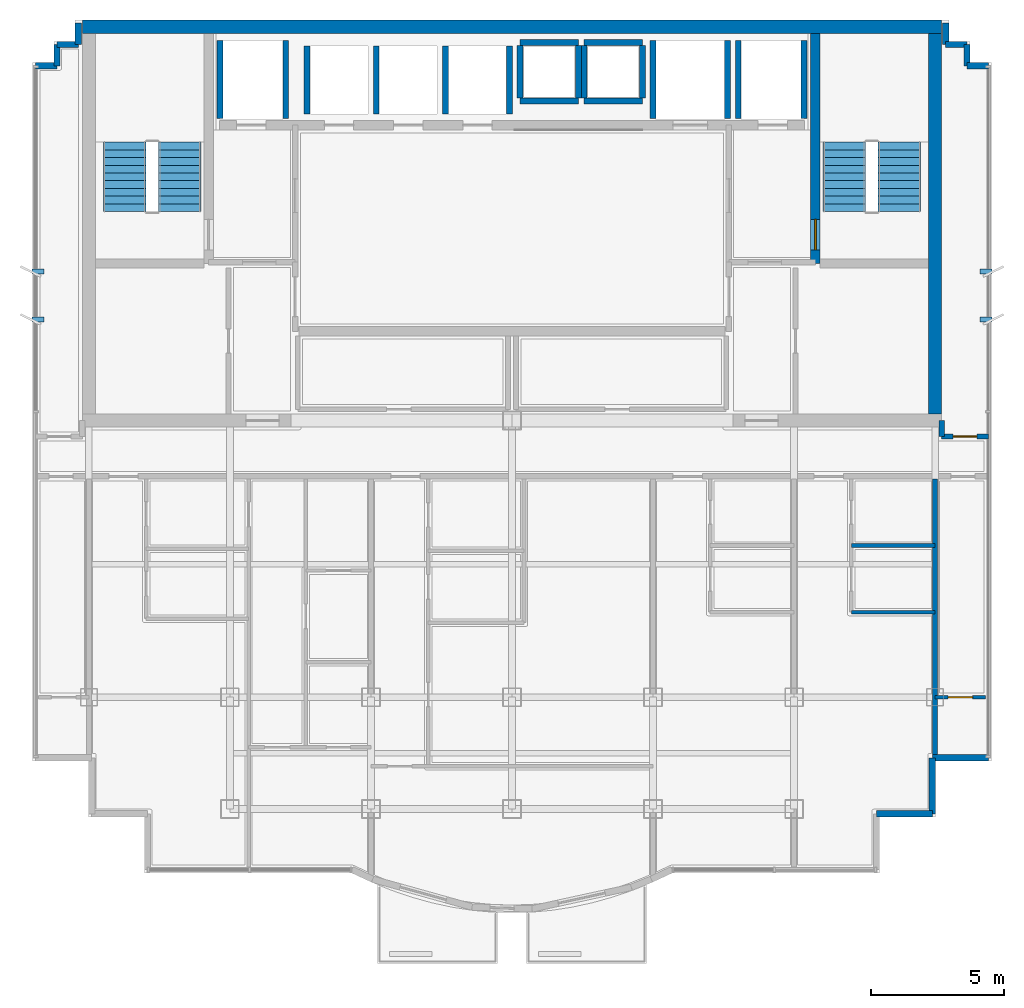
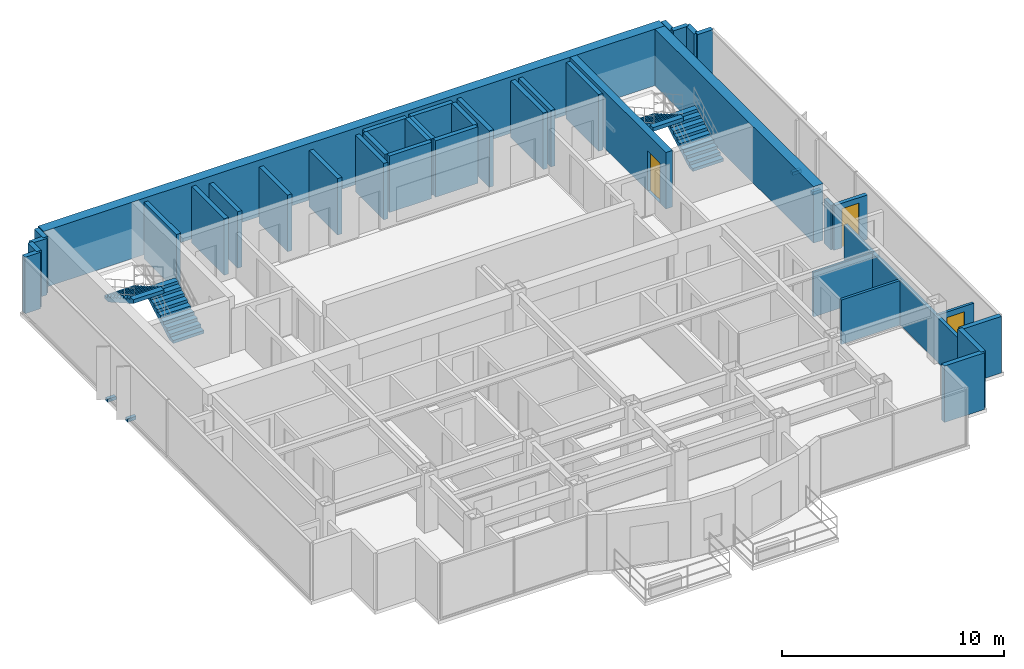
# One storey, part 8 of 10: 38 walls, 4 discrete accessories, 4 stair flights, 3 doors, 3 openings, 2 elements without a shape of their own.
"""IFC4 building model written with IfcOpenShell, lengths in metres."""

from ifc_helpers import new_model, si_unit, direction, frame, frame_2d, origin, origin_2d, place, context, subcontext, project, spatial, polyline, rectangle, outline, extrude, source, transform, mapped, material, layer, layer_set, type_object, element, fill, aggregate, save


model = new_model("IFC4")

# Units and contexts
model_context = context("Model", 3, precision=1e-05, world=origin(), true_north=direction((0.0, 1.0)))
body_context = subcontext(model_context, "Body", "Model", "MODEL_VIEW")
ifc_project = project(units=[si_unit("LENGTHUNIT", "METRE"), si_unit("AREAUNIT", "SQUARE_METRE"), si_unit("VOLUMEUNIT", "CUBIC_METRE"), si_unit("PLANEANGLEUNIT", "RADIAN"), si_unit("MASSUNIT", "GRAM", prefix="KILO")], contexts=[model_context])

# Site, building, storey
site_placement = place(None, origin())
site = spatial("IfcSite", under=ifc_project, at=site_placement, CompositionType="ELEMENT")
building_placement = place(site_placement, origin())
building = spatial("IfcBuilding", under=site, at=building_placement, Name="Qianlan Lanfeng Residences", CompositionType="ELEMENT")
storey_placement = place(building_placement, frame((0.0, 0.0, 239.60009765625)))
storey = spatial("IfcBuildingStorey", under=building, at=storey_placement, Name="L66", CompositionType="ELEMENT", Elevation=239.60009765625)

# Wall, opening, door
ifc_material_1 = material(Name="Concrete C49", Category="concrete")
ifc_layer_1 = layer(ifc_material_1, 0.35009765625)
ifc_layer_set_1 = layer_set([ifc_layer_1], Name="Concrete C49")
wall_type_1 = type_object("IfcWallType", Name="CW-RC-350", PredefinedType="SHEAR", material=ifc_layer_set_1)
wall_1_placement = place(storey_placement, frame((37.89990234375, 31.10009765625, 0.0), z_axis=(0.0, 0.0, 1.0), x_axis=(0.0, 1.0, 0.0)))
wall_1 = element("IfcWall", 1, at=wall_1_placement, inside=storey, type_object=wall_type_1, Name="L66 Core Shear Wall ST2W", PredefinedType="SHEAR", context=body_context, shape_type="SweptSolid", body=[
    extrude(rectangle(XDim=8.64990234375, YDim=0.35009765625, at=frame_2d((4.324951171875, 0.0))), origin(), (0.0, 0.0, 1.0), 3.10986328125),
])
opening_1_placement = place(wall_1_placement, frame((0.510009765625, 0.0, 0.0)))
opening_1 = element("IfcOpeningElement", 2, at=opening_1_placement, cuts=wall_1, Name="Opening L66-D08", PredefinedType="OPENING", context=body_context, shape_type="SweptSolid", body=[
    extrude(rectangle(XDim=1.14990234375, YDim=2.199951171875, at=frame_2d((0.574951171875, 1.10009765625))), frame((0.0, 0.18505859375, 0.0), z_axis=(0.0, -1.0, 0.0), x_axis=(1.0, 0.0, 0.0)), (0.0, 0.0, 1.0), 0.3701171875),
])
ifc_material_2 = material(Name="Painted Galvanised Steel Fire Door", Category="steel")
door_type_1 = type_object("IfcDoorType", Name="DT-ST1", OperationType="NOTDEFINED", PredefinedType="DOOR", material=ifc_material_2)
door_1_placement = place(opening_1_placement, origin())
door_1 = element("IfcDoor", 3, at=door_1_placement, inside=storey, type_object=door_type_1, Name="L66 Exit Stair ST-2 Door L66-D08 (DT-ST1)", OperationType="SINGLE_SWING_RIGHT", OverallHeight=2.199951171875, OverallWidth=1.14990234375, PredefinedType="DOOR", context=body_context, shape_type="SweptSolid", body=[
    extrude(rectangle(XDim=1.14990234375, YDim=2.199951171875, at=frame_2d((0.574951171875, 1.10009765625))), frame((0.0, 0.02490234375, 0.0), z_axis=(0.0, -1.0, 0.0), x_axis=(1.0, 0.0, 0.0)), (0.0, 0.0, 1.0), 0.050048828125),
])
fill(opening_1, door_1)

# Walls
ifc_material_3 = material(Name="Concrete C70", Category="concrete")
ifc_layer_2 = layer(ifc_material_3, 0.5)
ifc_layer_set_2 = layer_set([ifc_layer_2], Name="Concrete C70")
wall_type_2 = type_object("IfcWallType", Name="CW-RC-500", PredefinedType="SHEAR", material=ifc_layer_set_2)
wall_2_placement = place(storey_placement, frame((10.35009765625, 40.0, 0.0), z_axis=(0.0, 0.0, 1.0), x_axis=(1.0, 0.0, 0.0)))
element("IfcWall", 4, at=wall_2_placement, inside=storey, type_object=wall_type_2, Name="L66 Core Shear Wall N", PredefinedType="SHEAR", context=body_context, shape_type="SweptSolid", body=[
    extrude(rectangle(XDim=32.2998046875, YDim=0.5, at=frame_2d((16.14990234375, 0.0))), origin(), (0.0, 0.0, 1.0), 3.10986328125),
])
wall_3_placement = place(storey_placement, frame((42.39990234375, 25.449951171875, 0.0), z_axis=(0.0, 0.0, 1.0), x_axis=(0.0, 1.0, 0.0)))
element("IfcWall", 5, at=wall_3_placement, inside=storey, type_object=wall_type_2, Name="L66 Core Shear Wall E", PredefinedType="SHEAR", context=body_context, shape_type="SweptSolid", body=[
    extrude(rectangle(XDim=14.300048828125, YDim=0.5, at=frame_2d((7.14990234375, 0.0))), origin(), (0.0, 0.0, 1.0), 3.10986328125),
])
ifc_material_4 = material(Name="Concrete C42", Category="concrete")
ifc_layer_3 = layer(ifc_material_4, 0.239990234375)
ifc_layer_set_3 = layer_set([ifc_layer_3], Name="Concrete C42")
wall_type_3 = type_object("IfcWallType", Name="EW-240", PredefinedType="SOLIDWALL", material=ifc_layer_set_3)
for number, where, z_axis, x_axis, name in (
    (6, (40.199951171875, 10.419921875, 0.0), (0.0, 0.0, 1.0), (1.0, 0.0, 0.0), "L66 Exterior Facade Spandrel Wall 12"),
    (7, (42.300048828125, 10.419921875, 0.0), (0.0, 0.0, 1.0), (0.0, 1.0, 0.0), "L66 Exterior Facade Spandrel Wall 13"),
):
    element("IfcWall", number, at=place(storey_placement, frame(where, z_axis=z_axis, x_axis=x_axis)), inside=storey, type_object=wall_type_3, Name=name, PredefinedType="SOLIDWALL", context=body_context, shape_type="SweptSolid", body=[
        extrude(rectangle(XDim=2.10009765625, YDim=0.239990234375, at=frame_2d((1.050048828125, 0.0))), origin(), (0.0, 0.0, 1.0), 3.10986328125),
    ])
wall_4_placement = place(storey_placement, frame((42.300048828125, 12.52001953125, 0.0), z_axis=(0.0, 0.0, 1.0), x_axis=(1.0, 0.0, 0.0)))
element("IfcWall", 8, at=wall_4_placement, inside=storey, type_object=wall_type_3, Name="L66 Exterior Facade Spandrel Wall 14", PredefinedType="SOLIDWALL", context=body_context, shape_type="SweptSolid", body=[
    extrude(rectangle(XDim=2.099853515625, YDim=0.239990234375, at=frame_2d((1.0498046875, 0.0))), origin(), (0.0, 0.0, 1.0), 3.10986328125),
])
wall_5_placement = place(storey_placement, frame((44.39990234375, 38.530029296875, 0.0), z_axis=(0.0, 0.0, 1.0), x_axis=(-1.0, 0.0, 0.0)))
element("IfcWall", 9, at=wall_5_placement, inside=storey, type_object=wall_type_3, Name="L66 Exterior Facade Spandrel Wall 15", PredefinedType="SOLIDWALL", context=body_context, shape_type="SweptSolid", body=[
    extrude(rectangle(XDim=0.7998046875, YDim=0.239990234375, at=frame_2d((0.39990234375, 0.0))), origin(), (0.0, 0.0, 1.0), 3.10986328125),
])
for number, where, z_axis, x_axis, name in (
    (10, (43.60009765625, 38.530029296875, 0.0), (0.0, 0.0, 1.0), (0.0, 1.0, 0.0), "L66 Exterior Facade Spandrel Wall 16"),
    (11, (43.60009765625, 39.330078125, 0.0), (0.0, 0.0, 1.0), (-1.0, 0.0, 0.0), "L66 Exterior Facade Spandrel Wall 17"),
):
    element("IfcWall", number, at=place(storey_placement, frame(where, z_axis=z_axis, x_axis=x_axis)), inside=storey, type_object=wall_type_3, Name=name, PredefinedType="SOLIDWALL", context=body_context, shape_type="SweptSolid", body=[
        extrude(rectangle(XDim=0.800048828125, YDim=0.239990234375, at=frame_2d((0.39990234375, 0.0))), origin(), (0.0, 0.0, 1.0), 3.10986328125),
    ])
for number, where, z_axis, x_axis, name in (
    (12, (42.800048828125, 39.330078125, 0.0), (0.0, 0.0, 1.0), (0.0, 1.0, 0.0), "L66 Exterior Facade Spandrel Wall 18"),
    (13, (10.199951171875, 40.1298828125, 0.0), (0.0, 0.0, 1.0), (0.0, -1.0, 0.0), "L66 Exterior Facade Spandrel Wall 19"),
):
    element("IfcWall", number, at=place(storey_placement, frame(where, z_axis=z_axis, x_axis=x_axis)), inside=storey, type_object=wall_type_3, Name=name, PredefinedType="SOLIDWALL", context=body_context, shape_type="SweptSolid", body=[
        extrude(rectangle(XDim=0.7998046875, YDim=0.239990234375, at=frame_2d((0.39990234375, 0.0))), origin(), (0.0, 0.0, 1.0), 3.10986328125),
    ])
for number, where, z_axis, x_axis, name in (
    (14, (10.199951171875, 39.330078125, 0.0), (0.0, 0.0, 1.0), (-1.0, 0.0, 0.0), "L66 Exterior Facade Spandrel Wall 20"),
    (15, (9.39990234375, 39.330078125, 0.0), (0.0, 0.0, 1.0), (0.0, -1.0, 0.0), "L66 Exterior Facade Spandrel Wall 21"),
):
    element("IfcWall", number, at=place(storey_placement, frame(where, z_axis=z_axis, x_axis=x_axis)), inside=storey, type_object=wall_type_3, Name=name, PredefinedType="SOLIDWALL", context=body_context, shape_type="SweptSolid", body=[
        extrude(rectangle(XDim=0.800048828125, YDim=0.239990234375, at=frame_2d((0.39990234375, 0.0))), origin(), (0.0, 0.0, 1.0), 3.10986328125),
    ])
wall_6_placement = place(storey_placement, frame((9.39990234375, 38.530029296875, 0.0), z_axis=(0.0, 0.0, 1.0), x_axis=(-1.0, 0.0, 0.0)))
element("IfcWall", 16, at=wall_6_placement, inside=storey, type_object=wall_type_3, Name="L66 Exterior Facade Spandrel Wall 22", PredefinedType="SOLIDWALL", context=body_context, shape_type="SweptSolid", body=[
    extrude(rectangle(XDim=0.7998046875, YDim=0.239990234375, at=frame_2d((0.39990234375, 0.0))), origin(), (0.0, 0.0, 1.0), 3.10986328125),
])
ifc_material_5 = material(Name="Moisture-Resistant Gypsum Partition 135 mm")
ifc_layer_4 = layer(ifc_material_5, 0.135009765625)
ifc_layer_set_4 = layer_set([ifc_layer_4], Name="Moisture-Resistant Gypsum Partition 135 mm")
wall_type_4 = type_object("IfcWallType", Name="PW-135", PredefinedType="PARTITIONING", material=ifc_layer_set_4)
for number, where, z_axis, x_axis, name in (
    (17, (39.25, 18.0, 0.0), (0.0, 0.0, 1.0), (1.0, 0.0, 0.0), "L66 U04 Kitchen South Wall"),
    (18, (39.25, 20.5, 0.0), (0.0, 0.0, 1.0), (1.0, 0.0, 0.0), "L66 U04 Bathroom South Wall"),
):
    element("IfcWall", number, at=place(storey_placement, frame(where, z_axis=z_axis, x_axis=x_axis)), inside=storey, type_object=wall_type_4, Name=name, PredefinedType="PARTITIONING", context=body_context, shape_type="SweptSolid", body=[
        extrude(rectangle(XDim=3.14990234375, YDim=0.135009765625, at=frame_2d((1.574951171875, 0.0))), origin(), (0.0, 0.0, 1.0), 2.449951171875),
    ])

# Wall, opening, door
wall_7_placement = place(storey_placement, frame((42.39990234375, 14.800048828125, 0.0), z_axis=(0.0, 0.0, 1.0), x_axis=(1.0, 0.0, 0.0)))
wall_7 = element("IfcWall", 19, at=wall_7_placement, inside=storey, type_object=wall_type_4, Name="L66 SEP Mid Partition", PredefinedType="PARTITIONING", context=body_context, shape_type="SweptSolid", body=[
    extrude(rectangle(XDim=1.900146484375, YDim=0.135009765625, at=frame_2d((0.9501953125, 0.0))), origin(), (0.0, 0.0, 1.0), 2.449951171875),
])
opening_2_placement = place(wall_7_placement, frame((0.489990234375, 0.0, 0.0)))
opening_2 = element("IfcOpeningElement", 20, at=opening_2_placement, cuts=wall_7, Name="Opening L66-D36", PredefinedType="OPENING", context=body_context, shape_type="SweptSolid", body=[
    extrude(rectangle(XDim=0.919921875, YDim=2.14990234375, at=frame_2d((0.4599609375, 1.074951171875))), frame((0.0, 0.07763671875, 0.0), z_axis=(0.0, -1.0, 0.0), x_axis=(1.0, 0.0, 0.0)), (0.0, 0.0, 1.0), 0.155029296875),
])
ifc_material_6 = material(Name="Glazed Timber Kitchen/Study Door", Category="wood")
door_type_2 = type_object("IfcDoorType", Name="DT-INT", OperationType="NOTDEFINED", PredefinedType="DOOR", material=ifc_material_6)
door_2_placement = place(opening_2_placement, origin())
door_2 = element("IfcDoor", 21, at=door_2_placement, inside=storey, type_object=door_type_2, Name="L66 SEP Inner Door L66-D36 (DT-INT)", OperationType="SINGLE_SWING_RIGHT", OverallHeight=2.14990234375, OverallWidth=0.919921875, PredefinedType="DOOR", context=body_context, shape_type="SweptSolid", body=[
    extrude(rectangle(XDim=0.919921875, YDim=2.14990234375, at=frame_2d((0.4599609375, 1.074951171875))), frame((0.0, 0.02490234375, 0.0), z_axis=(0.0, -1.0, 0.0), x_axis=(1.0, 0.0, 0.0)), (0.0, 0.0, 1.0), 0.050048828125),
])
fill(opening_2, door_2)

# Wall
ifc_material_7 = material(Name="Double-Layer Acoustic Gypsum Stud Wall 180 mm")
ifc_layer_5 = layer(ifc_material_7, 0.179931640625)
ifc_layer_set_5 = layer_set([ifc_layer_5], Name="Double-Layer Acoustic Gypsum Stud Wall 180 mm")
wall_type_5 = type_object("IfcWallType", Name="PW-180", PredefinedType="PARTITIONING", material=ifc_layer_set_5)
wall_8_placement = place(storey_placement, frame((42.39990234375, 12.6201171875, 0.0), z_axis=(0.0, 0.0, 1.0), x_axis=(0.0, 1.0, 0.0)))
element("IfcWall", 22, at=wall_8_placement, inside=storey, type_object=wall_type_5, Name="L66 Wing Boundary Party Wall E0", PredefinedType="PARTITIONING", context=body_context, shape_type="SweptSolid", body=[
    extrude(rectangle(XDim=10.3798828125, YDim=0.179931640625, at=frame_2d((5.18994140625, 0.0))), origin(), (0.0, 0.0, 1.0), 2.449951171875),
])

# Wall, opening, door
ifc_material_8 = material(Name="Autoclaved Aerated Concrete Blockwork 200 mm", Category="masonry")
ifc_layer_6 = layer(ifc_material_8, 0.199951171875)
ifc_layer_set_6 = layer_set([ifc_layer_6], Name="Autoclaved Aerated Concrete Blockwork 200 mm")
wall_type_6 = type_object("IfcWallType", Name="PW-200", PredefinedType="PARTITIONING", material=ifc_layer_set_6)
wall_9_placement = place(storey_placement, frame((42.64990234375, 24.60009765625, 0.0), z_axis=(0.0, 0.0, 1.0), x_axis=(1.0, 0.0, 0.0)))
wall_9 = element("IfcWall", 23, at=wall_9_placement, inside=storey, type_object=wall_type_6, Name="L66 Corridor NE Wall", PredefinedType="PARTITIONING", context=body_context, shape_type="SweptSolid", body=[
    extrude(rectangle(XDim=1.75, YDim=0.199951171875, at=frame_2d((0.875, 0.0))), origin(), (0.0, 0.0, 1.0), 2.449951171875),
])
opening_3_placement = place(wall_9_placement, frame((0.425048828125, 0.0, 0.0)))
opening_3 = element("IfcOpeningElement", 24, at=opening_3_placement, cuts=wall_9, Name="Opening L66-D39", PredefinedType="OPENING", context=body_context, shape_type="SweptSolid", body=[
    extrude(rectangle(XDim=0.89990234375, YDim=2.14990234375, at=frame_2d((0.449951171875, 1.074951171875))), frame((0.0, 0.10986328125, 0.0), z_axis=(0.0, -1.0, 0.0), x_axis=(1.0, 0.0, 0.0)), (0.0, 0.0, 1.0), 0.219970703125),
])
ifc_material_9 = material(Name="Moisture-Resistant Timber Leaf", Category="wood")
door_type_3 = type_object("IfcDoorType", Name="DT-WC", OperationType="NOTDEFINED", PredefinedType="DOOR", material=ifc_material_9)
door_3_placement = place(opening_3_placement, origin())
door_3 = element("IfcDoor", 25, at=door_3_placement, inside=storey, type_object=door_type_3, Name="L66 EW Amenity Salon Door L66-D39 (DT-WC)", OperationType="SINGLE_SWING_RIGHT", OverallHeight=2.14990234375, OverallWidth=0.89990234375, PredefinedType="DOOR", context=body_context, shape_type="SweptSolid", body=[
    extrude(rectangle(XDim=0.89990234375, YDim=2.14990234375, at=frame_2d((0.449951171875, 1.074951171875))), frame((0.0, 0.02490234375, 0.0), z_axis=(0.0, -1.0, 0.0), x_axis=(1.0, 0.0, 0.0)), (0.0, 0.0, 1.0), 0.050048828125),
])
fill(opening_3, door_3)

# Walls
wall_10_placement = place(storey_placement, frame((42.64990234375, 24.60009765625, 0.0), z_axis=(0.0, 0.0, 1.0), x_axis=(0.0, 1.0, 0.0)))
element("IfcWall", 26, at=wall_10_placement, inside=storey, type_object=wall_type_6, Name="L66 NE Wing Core Return Wall", PredefinedType="PARTITIONING", context=body_context, shape_type="SweptSolid", body=[
    extrude(rectangle(XDim=0.599853515625, YDim=0.199951171875, at=frame_2d((0.2998046875, 0.0))), origin(), (0.0, 0.0, 1.0), 2.449951171875),
])
ifc_layer_7 = layer(ifc_material_1, 0.219970703125)
ifc_layer_set_7 = layer_set([ifc_layer_7], Name="Concrete C49")
wall_type_7 = type_object("IfcWallType", Name="SHW-220", PredefinedType="SOLIDWALL", material=ifc_layer_set_7)
for number, where, z_axis, x_axis, name in (
    (27, (15.52001953125, 36.550048828125, 0.0), (0.0, 0.0, 1.0), (0.0, 1.0, 0.0), "L66 Lift FFL-1 Shaft Wall W"),
    (28, (18.0, 36.550048828125, 0.0), (0.0, 0.0, 1.0), (0.0, 1.0, 0.0), "L66 Lift FFL-1 Shaft Wall E"),
    (29, (35.0, 36.550048828125, 0.0), (0.0, 0.0, 1.0), (0.0, 1.0, 0.0), "L66 Lift FFL-2 Shaft Wall W"),
    (30, (37.47998046875, 36.550048828125, 0.0), (0.0, 0.0, 1.0), (0.0, 1.0, 0.0), "L66 Lift FFL-2 Shaft Wall E"),
    (31, (31.800048828125, 36.550048828125, 0.0), (0.0, 0.0, 1.0), (0.0, 1.0, 0.0), "L66 Lift SVL-1 Shaft Wall W"),
    (32, (34.60009765625, 36.550048828125, 0.0), (0.0, 0.0, 1.0), (0.0, 1.0, 0.0), "L66 Lift SVL-1 Shaft Wall E"),
):
    element("IfcWall", number, at=place(storey_placement, frame(where, z_axis=z_axis, x_axis=x_axis)), inside=storey, type_object=wall_type_7, Name=name, PredefinedType="SOLIDWALL", context=body_context, shape_type="SweptSolid", body=[
        extrude(rectangle(XDim=2.929931640625, YDim=0.219970703125, at=frame_2d((1.46484375, 0.0))), origin(), (0.0, 0.0, 1.0), 3.10986328125),
    ])
for number, where, z_axis, x_axis, name in (
    (33, (18.800048828125, 36.719970703125, 0.0), (0.0, 0.0, 1.0), (0.0, 1.0, 0.0), "L66 Lift PL-H1 Shaft Wall W"),
    (34, (21.39990234375, 36.719970703125, 0.0), (0.0, 0.0, 1.0), (0.0, 1.0, 0.0), "L66 Lift PL-H2 Shaft Wall W"),
    (35, (24.0, 36.719970703125, 0.0), (0.0, 0.0, 1.0), (0.0, 1.0, 0.0), "L66 Lift PL-H3 Shaft Wall W"),
    (36, (26.39990234375, 36.719970703125, 0.0), (0.0, 0.0, 1.0), (0.0, 1.0, 0.0), "L66 Lift PL-H3 Shaft Wall E"),
):
    element("IfcWall", number, at=place(storey_placement, frame(where, z_axis=z_axis, x_axis=x_axis)), inside=storey, type_object=wall_type_7, Name=name, PredefinedType="SOLIDWALL", context=body_context, shape_type="SweptSolid", body=[
        extrude(rectangle(XDim=2.56005859375, YDim=0.219970703125, at=frame_2d((1.280029296875, 0.0))), origin(), (0.0, 0.0, 1.0), 3.10986328125),
    ])
for number, where, z_axis, x_axis, name in (
    (37, (26.800048828125, 37.31005859375, 0.0), (0.0, 0.0, 1.0), (0.0, 1.0, 0.0), "L66 MEP Riser MEP-R1 Shaft Wall W"),
    (38, (29.0, 37.31005859375, 0.0), (0.0, 0.0, 1.0), (0.0, 1.0, 0.0), "L66 MEP Riser MEP-R1 Shaft Wall E"),
):
    element("IfcWall", number, at=place(storey_placement, frame(where, z_axis=z_axis, x_axis=x_axis)), inside=storey, type_object=wall_type_7, Name=name, PredefinedType="SOLIDWALL", context=body_context, shape_type="SweptSolid", body=[
        extrude(rectangle(XDim=1.97998046875, YDim=0.219970703125, at=frame_2d((0.989990234375, 0.0))), origin(), (0.0, 0.0, 1.0), 3.10986328125),
    ])
for number, where, z_axis, x_axis, name in (
    (39, (26.800048828125, 39.39990234375, 0.0), (0.0, 0.0, 1.0), (1.0, 0.0, 0.0), "L66 MEP Riser MEP-R1 Shaft Wall N"),
    (40, (26.800048828125, 37.199951171875, 0.0), (0.0, 0.0, 1.0), (1.0, 0.0, 0.0), "L66 MEP Riser MEP-R1 Shaft Wall S"),
):
    element("IfcWall", number, at=place(storey_placement, frame(where, z_axis=z_axis, x_axis=x_axis)), inside=storey, type_object=wall_type_7, Name=name, PredefinedType="SOLIDWALL", context=body_context, shape_type="SweptSolid", body=[
        extrude(rectangle(XDim=2.199951171875, YDim=0.219970703125, at=frame_2d((1.10009765625, 0.0))), origin(), (0.0, 0.0, 1.0), 3.10986328125),
    ])
for number, where, z_axis, x_axis, name in (
    (41, (29.199951171875, 37.31005859375, 0.0), (0.0, 0.0, 1.0), (0.0, 1.0, 0.0), "L66 MEP Riser MEP-R2 Shaft Wall W"),
    (42, (31.39990234375, 37.31005859375, 0.0), (0.0, 0.0, 1.0), (0.0, 1.0, 0.0), "L66 MEP Riser MEP-R2 Shaft Wall E"),
):
    element("IfcWall", number, at=place(storey_placement, frame(where, z_axis=z_axis, x_axis=x_axis)), inside=storey, type_object=wall_type_7, Name=name, PredefinedType="SOLIDWALL", context=body_context, shape_type="SweptSolid", body=[
        extrude(rectangle(XDim=1.97998046875, YDim=0.219970703125, at=frame_2d((0.989990234375, 0.0))), origin(), (0.0, 0.0, 1.0), 3.10986328125),
    ])
for number, where, z_axis, x_axis, name in (
    (43, (29.199951171875, 39.39990234375, 0.0), (0.0, 0.0, 1.0), (1.0, 0.0, 0.0), "L66 MEP Riser MEP-R2 Shaft Wall N"),
    (44, (29.199951171875, 37.199951171875, 0.0), (0.0, 0.0, 1.0), (1.0, 0.0, 0.0), "L66 MEP Riser MEP-R2 Shaft Wall S"),
):
    element("IfcWall", number, at=place(storey_placement, frame(where, z_axis=z_axis, x_axis=x_axis)), inside=storey, type_object=wall_type_7, Name=name, PredefinedType="SOLIDWALL", context=body_context, shape_type="SweptSolid", body=[
        extrude(rectangle(XDim=2.199951171875, YDim=0.219970703125, at=frame_2d((1.10009765625, 0.0))), origin(), (0.0, 0.0, 1.0), 3.10986328125),
    ])

# Stair, stair flights
stair_type = type_object("IfcStairType", Name="STR-MAIN", PredefinedType="HALF_TURN_STAIR", material=ifc_material_4)
stair_1_placement = place(storey_placement, origin())
stair_1 = element("IfcStair", 45, at=stair_1_placement, inside=storey, type_object=stair_type, Name="L66 Exit Stair ST-1", PredefinedType="HALF_TURN_STAIR")
stair_flight_type = type_object("IfcStairFlightType", Name="FLT-1720", PredefinedType="STRAIGHT", material=ifc_material_4)
stair_flight_1_placement = place(storey_placement, frame((14.02001953125, 33.050048828125, 0.0), z_axis=(0.0, 0.0, 1.0), x_axis=(0.0, 1.0, 0.0)))
stair_flight_1 = element("IfcStairFlight", 46, at=stair_flight_1_placement, type_object=stair_flight_type, Name="ST-1 flight 1", NumberOfRisers=10, NumberOfTreads=9, PredefinedType="STRAIGHT", RiserHeight=0.165, TreadLength=0.29, context=body_context, shape_type="SweptSolid", body=[
    extrude(outline(polyline([(0.0, 0.0), (0.0, 0.1650390625), (0.2900390625, 0.1650390625), (0.2900390625, 0.330078125), (0.580078125, 0.330078125), (0.580078125, 0.4951171875), (0.8701171875, 0.4951171875), (0.8701171875, 0.659912109375), (1.159912109375, 0.659912109375), (1.159912109375, 0.824951171875), (1.449951171875, 0.824951171875), (1.449951171875, 0.989990234375), (1.739990234375, 0.989990234375), (1.739990234375, 1.155029296875), (2.030029296875, 1.155029296875), (2.030029296875, 1.320068359375), (2.320068359375, 1.320068359375), (2.320068359375, 1.485107421875), (2.610107421875, 1.485107421875), (2.610107421875, 1.64990234375), (2.610107421875, 1.278076171875), (0.36376953125, 0.0), (0.0, 0.0)])), frame((0.0, 0.800048828125, 0.0), z_axis=(0.0, -1.0, 0.0), x_axis=(1.0, 0.0, 0.0)), (0.0, 0.0, 1.0), 1.60009765625),
])
stair_flight_2_placement = place(storey_placement, frame((11.93994140625, 35.659912109375, 1.64990234375), z_axis=(0.0, 0.0, 1.0), x_axis=(0.0, -1.0, 0.0)))
stair_flight_2 = element("IfcStairFlight", 47, at=stair_flight_2_placement, type_object=stair_flight_type, Name="ST-1 flight 2", NumberOfRisers=10, NumberOfTreads=9, PredefinedType="STRAIGHT", RiserHeight=0.165, TreadLength=0.29, context=body_context, shape_type="SweptSolid", body=[
    extrude(outline(polyline([(0.0, 0.0), (0.0, 0.1650390625), (0.2900390625, 0.1650390625), (0.2900390625, 0.330078125), (0.580078125, 0.330078125), (0.580078125, 0.4951171875), (0.8701171875, 0.4951171875), (0.8701171875, 0.659912109375), (1.159912109375, 0.659912109375), (1.159912109375, 0.824951171875), (1.449951171875, 0.824951171875), (1.449951171875, 0.989990234375), (1.739990234375, 0.989990234375), (1.739990234375, 1.155029296875), (2.030029296875, 1.155029296875), (2.030029296875, 1.320068359375), (2.320068359375, 1.320068359375), (2.320068359375, 1.485107421875), (2.610107421875, 1.485107421875), (2.610107421875, 1.64990234375), (2.610107421875, 1.278076171875), (0.36376953125, 0.0), (0.0, 0.0)])), frame((0.0, 0.800048828125, 0.0), z_axis=(0.0, -1.0, 0.0), x_axis=(1.0, 0.0, 0.0)), (0.0, 0.0, 1.0), 1.60009765625),
])
aggregate(stair_1, [stair_flight_1, stair_flight_2])

stair_2_placement = place(storey_placement, origin())
stair_2 = element("IfcStair", 48, at=stair_2_placement, inside=storey, type_object=stair_type, Name="L66 Exit Stair ST-2", PredefinedType="HALF_TURN_STAIR")
stair_flight_3_placement = place(storey_placement, frame((41.06005859375, 33.050048828125, 0.0), z_axis=(0.0, 0.0, 1.0), x_axis=(0.0, 1.0, 0.0)))
stair_flight_3 = element("IfcStairFlight", 49, at=stair_flight_3_placement, type_object=stair_flight_type, Name="ST-2 flight 1", NumberOfRisers=10, NumberOfTreads=9, PredefinedType="STRAIGHT", RiserHeight=0.165, TreadLength=0.29, context=body_context, shape_type="SweptSolid", body=[
    extrude(outline(polyline([(0.0, 0.0), (0.0, 0.1650390625), (0.2900390625, 0.1650390625), (0.2900390625, 0.330078125), (0.580078125, 0.330078125), (0.580078125, 0.4951171875), (0.8701171875, 0.4951171875), (0.8701171875, 0.659912109375), (1.159912109375, 0.659912109375), (1.159912109375, 0.824951171875), (1.449951171875, 0.824951171875), (1.449951171875, 0.989990234375), (1.739990234375, 0.989990234375), (1.739990234375, 1.155029296875), (2.030029296875, 1.155029296875), (2.030029296875, 1.320068359375), (2.320068359375, 1.320068359375), (2.320068359375, 1.485107421875), (2.610107421875, 1.485107421875), (2.610107421875, 1.64990234375), (2.610107421875, 1.278076171875), (0.36376953125, 0.0), (0.0, 0.0)])), frame((0.0, 0.800048828125, 0.0), z_axis=(0.0, -1.0, 0.0), x_axis=(1.0, 0.0, 0.0)), (0.0, 0.0, 1.0), 1.60009765625),
])
stair_flight_4_placement = place(storey_placement, frame((38.97998046875, 35.659912109375, 1.64990234375), z_axis=(0.0, 0.0, 1.0), x_axis=(0.0, -1.0, 0.0)))
stair_flight_4 = element("IfcStairFlight", 50, at=stair_flight_4_placement, type_object=stair_flight_type, Name="ST-2 flight 2", NumberOfRisers=10, NumberOfTreads=9, PredefinedType="STRAIGHT", RiserHeight=0.165, TreadLength=0.29, context=body_context, shape_type="SweptSolid", body=[
    extrude(outline(polyline([(0.0, 0.0), (0.0, 0.1650390625), (0.2900390625, 0.1650390625), (0.2900390625, 0.330078125), (0.580078125, 0.330078125), (0.580078125, 0.4951171875), (0.8701171875, 0.4951171875), (0.8701171875, 0.659912109375), (1.159912109375, 0.659912109375), (1.159912109375, 0.824951171875), (1.449951171875, 0.824951171875), (1.449951171875, 0.989990234375), (1.739990234375, 0.989990234375), (1.739990234375, 1.155029296875), (2.030029296875, 1.155029296875), (2.030029296875, 1.320068359375), (2.320068359375, 1.320068359375), (2.320068359375, 1.485107421875), (2.610107421875, 1.485107421875), (2.610107421875, 1.64990234375), (2.610107421875, 1.278076171875), (0.36376953125, 0.0), (0.0, 0.0)])), frame((0.0, 0.800048828125, 0.0), z_axis=(0.0, -1.0, 0.0), x_axis=(1.0, 0.0, 0.0)), (0.0, 0.0, 1.0), 1.60009765625),
])
aggregate(stair_2, [stair_flight_3, stair_flight_4])

# Discrete accessories
ifc_material_10 = material(Name="Stainless Steel Facade Bracket", Category="steel")
discrete_accessory_type = type_object("IfcDiscreteAccessoryType", Name="BRK-SS-350", PredefinedType="BRACKET", material=ifc_material_10)
shared_shape = source(origin(), body_context, "Body", "SweptSolid", [
    extrude(rectangle(XDim=0.449951171875, YDim=0.179931640625, at=origin_2d()), origin(), (0.0, 0.0, 1.0), 0.179931640625),
])
for number, where, z_axis, x_axis, name in (
    (51, (8.679931640625, 29.0, -0.14990234375), (0.0, 0.0, 1.0), (1.0, 0.0, 0.0), "L66 Raked Solar Fin Support Bracket W1"),
    (52, (8.679931640625, 30.800048828125, -0.14990234375), (0.0, 0.0, 1.0), (1.0, 0.0, 0.0), "L66 Raked Solar Fin Support Bracket W2"),
    (53, (44.320068359375, 29.0, -0.14990234375), (0.0, 0.0, 1.0), (1.0, 0.0, 0.0), "L66 Raked Solar Fin Support Bracket E1"),
    (54, (44.320068359375, 30.800048828125, -0.14990234375), (0.0, 0.0, 1.0), (1.0, 0.0, 0.0), "L66 Raked Solar Fin Support Bracket E2"),
):
    element("IfcDiscreteAccessory", number, at=place(storey_placement, frame(where, z_axis=z_axis, x_axis=x_axis)), inside=storey, type_object=discrete_accessory_type, Name=name, PredefinedType="BRACKET", context=body_context, shape_type="MappedRepresentation", body=[
        mapped(shared_shape, transform((0.0, 0.0, 0.0), scale=1.0)),
    ])

save(model, "model.ifc")
